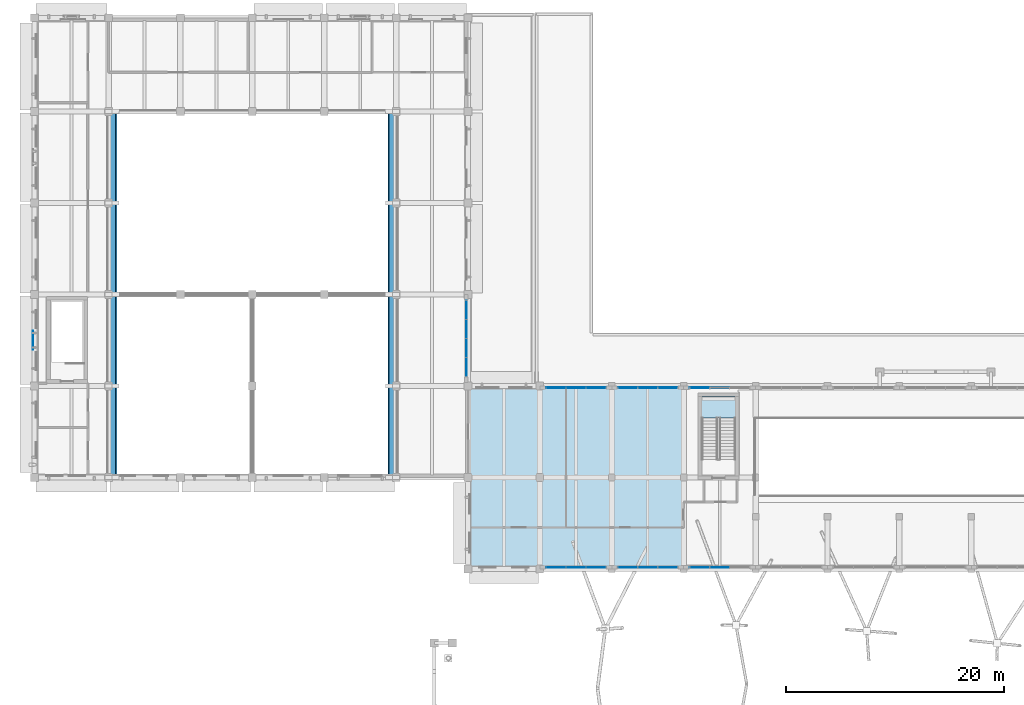
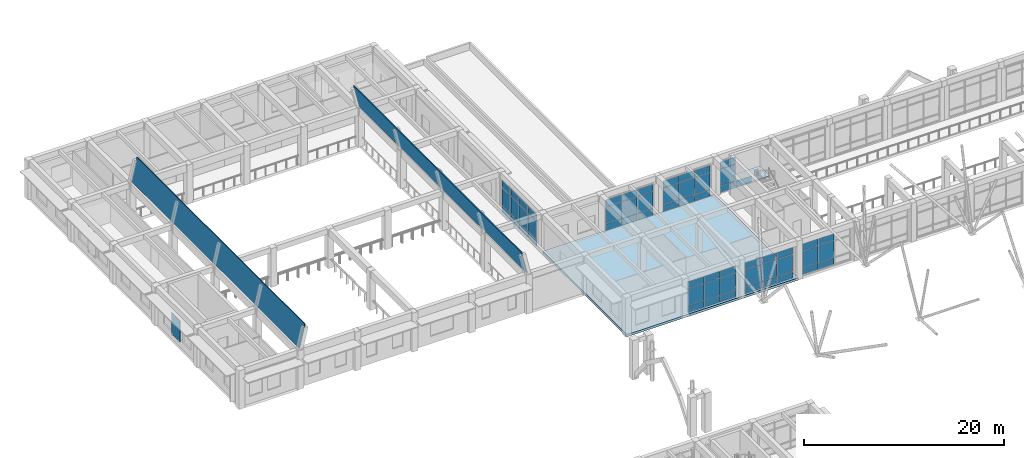
# One storey, part 35 of 75: 59 plates, 4 slabs, 8 elements without a shape of their own.
"""IFC4 building model written with IfcOpenShell, lengths in metres."""

from ifc_helpers import new_model, si_unit, direction, frame, origin, origin_2d, place, context, subcontext, project, spatial, polyline, rectangle, outline, extrude, material, layer, layer_set, type_object, element, aggregate, save


model = new_model("IFC4")

# Units and contexts
model_context = context("Model", 3, precision=1e-05, world=origin(), true_north=direction((0.0, 1.0)))
body_context = subcontext(model_context, "Body", "Model", "MODEL_VIEW")
ifc_project = project(units=[si_unit("LENGTHUNIT", "METRE"), si_unit("AREAUNIT", "SQUARE_METRE"), si_unit("VOLUMEUNIT", "CUBIC_METRE"), si_unit("PLANEANGLEUNIT", "RADIAN"), si_unit("MASSUNIT", "GRAM", prefix="KILO")], contexts=[model_context])

# Site, building, storey
site_placement = place(None, origin())
site = spatial("IfcSite", under=ifc_project, at=site_placement, CompositionType="ELEMENT")
building_placement = place(site_placement, origin())
building = spatial("IfcBuilding", under=site, at=building_placement, Name="Kolvaren Faculty of Natural Sciences", CompositionType="ELEMENT")
storey_placement = place(building_placement, frame((0.0, 0.0, 5.39990234375)))
storey = spatial("IfcBuildingStorey", under=building, at=storey_placement, Name="L01", CompositionType="ELEMENT", Elevation=5.39990234375)

# Slabs
ifc_material_1 = material(Name="Concrete C40/50", Category="concrete")
ifc_layer_1 = layer(ifc_material_1, 0.110107421875)
ifc_layer_set_1 = layer_set([ifc_layer_1], Name="Concrete C40/50")
slab_type_1 = type_object("IfcSlabType", Name="BarrelShellStrip_110", PredefinedType="ROOF", material=ifc_layer_set_1)
for number, where, z_axis, x_axis, name in (
    (1, (6.800048828125, 75.800048828125, 4.760009765625), (-0.973671907569, 0.0, 0.227953978714), (0.227953978714, 0.0, 0.973671907569), "Lecture Theatre Pavilion Barrel Vault Shell vault strip 1"),
    (2, (32.553955078125, 75.800048828125, 7.519287109375), (0.973671907569, 0.0, 0.227953978714), (0.227953978714, 0.0, -0.973671907569), "Lecture Theatre Pavilion Barrel Vault Shell vault strip 10"),
):
    element("IfcSlab", number, at=place(storey_placement, frame(where, z_axis=z_axis, x_axis=x_axis)), inside=storey, type_object=slab_type_1, Name=name, PredefinedType="ROOF", context=body_context, shape_type="SweptSolid", body=[
        extrude(outline(polyline([(0.0, 0.0), (2.833888214604153, 0.0), (2.833888214604153, 33.59985351562501), (0.0, 33.59985351562501), (0.0, 0.0)])), origin(), (0.0, 0.0, -1.0), 0.110107421875),
    ])
ifc_material_2 = material(Name="Concrete C35/45", Category="concrete")
ifc_layer_2 = layer(ifc_material_2, 0.2900390625)
ifc_layer_set_2 = layer_set([ifc_layer_2], Name="Concrete C35/45")
slab_type_2 = type_object("IfcSlabType", Name="CommonsFloorSlab_290", PredefinedType="FLOOR", material=ifc_layer_set_2)
slab_1_placement = place(storey_placement, frame((0.0, 0.0, -0.289794921875)))
element("IfcSlab", 3, at=slab_1_placement, inside=storey, type_object=slab_type_2, Name="L01 V2 structural slab 1", PredefinedType="FLOOR", context=body_context, shape_type="SweptSolid", body=[
    extrude(outline(polyline([(39.800048828125, 84.199951171875), (59.60009765625, 84.199951171875), (59.60009765625, 67.39990234375), (39.800048828125, 67.39990234375), (39.800048828125, 84.199951171875)])), origin(), (0.0, 0.0, 1.0), 0.289794921875),
])

# Curtain wall, plates
ifc_material_3 = material(Name="Thermally broken anodised aluminium framing", Category="aluminium")
ifc_layer_3 = layer(ifc_material_3, 0.179931640625)
ifc_layer_set_3 = layer_set([ifc_layer_3], Name="Thermally broken anodised aluminium framing")
curtain_wall_type_1 = type_object("IfcCurtainWallType", Name="PavilionFoyerCurtainWall_CW04", PredefinedType="NOTDEFINED", material=ifc_layer_set_3)
curtain_wall_1_placement = place(storey_placement, origin())
curtain_wall_1 = element("IfcCurtainWall", 4, at=curtain_wall_1_placement, inside=storey, type_object=curtain_wall_type_1, Name="L01 unitised curtain wall CW-04 (CW-L01-052)", PredefinedType="NOTDEFINED")
ifc_material_4 = material(Name="Double low-E solar control insulated glazing", Category="glass")
ifc_layer_4 = layer(ifc_material_4, 0.035888671875)
ifc_layer_set_4 = layer_set([ifc_layer_4], Name="Double low-E solar control insulated glazing")
plate_type_1 = type_object("IfcPlateType", Name="EnvelopePlate_CWPGL1", PredefinedType="CURTAIN_PANEL", material=ifc_layer_set_4)
plate_1_placement = place(storey_placement, frame((39.639892578125, 91.177490234375, 0.919921875), z_axis=(0.0, 0.0, 1.0), x_axis=(0.0, -1.0, 0.0)))
plate_1 = element("IfcPlate", 5, at=plate_1_placement, type_object=plate_type_1, Name="CW-L01-052 panel 1 V1", PredefinedType="CURTAIN_PANEL", context=body_context, shape_type="SweptSolid", body=[
    extrude(rectangle(XDim=1.695068359375, YDim=0.035888671875, at=origin_2d()), origin(), (0.0, 0.0, 1.0), 2.195068359375),
])
plate_2_placement = place(storey_placement, frame((39.639892578125, 89.4326171875, 0.919921875), z_axis=(0.0, 0.0, 1.0), x_axis=(0.0, -1.0, 0.0)))
plate_2 = element("IfcPlate", 6, at=plate_2_placement, type_object=plate_type_1, Name="CW-L01-052 panel 2 V1", PredefinedType="CURTAIN_PANEL", context=body_context, shape_type="SweptSolid", body=[
    extrude(rectangle(XDim=1.695068359375, YDim=0.035888671875, at=origin_2d()), origin(), (0.0, 0.0, 1.0), 2.195068359375),
])
plate_3_placement = place(storey_placement, frame((39.639892578125, 87.6875, 0.919921875), z_axis=(0.0, 0.0, 1.0), x_axis=(0.0, -1.0, 0.0)))
plate_3 = element("IfcPlate", 7, at=plate_3_placement, type_object=plate_type_1, Name="CW-L01-052 panel 3 V1", PredefinedType="CURTAIN_PANEL", context=body_context, shape_type="SweptSolid", body=[
    extrude(rectangle(XDim=1.695068359375, YDim=0.035888671875, at=origin_2d()), origin(), (0.0, 0.0, 1.0), 2.195068359375),
])
plate_4_placement = place(storey_placement, frame((39.639892578125, 85.9423828125, 0.919921875), z_axis=(0.0, 0.0, 1.0), x_axis=(0.0, -1.0, 0.0)))
plate_4 = element("IfcPlate", 8, at=plate_4_placement, type_object=plate_type_1, Name="CW-L01-052 panel 4 V1", PredefinedType="CURTAIN_PANEL", context=body_context, shape_type="SweptSolid", body=[
    extrude(rectangle(XDim=1.695068359375, YDim=0.035888671875, at=origin_2d()), origin(), (0.0, 0.0, 1.0), 2.195068359375),
])

ifc_layer_5 = layer(ifc_material_3, 0.179931640625)
ifc_layer_set_5 = layer_set([ifc_layer_5], Name="Thermally broken anodised aluminium framing")
curtain_wall_type_2 = type_object("IfcCurtainWallType", Name="CommonsCurtainWall_CW02", PredefinedType="NOTDEFINED", material=ifc_layer_set_5)
curtain_wall_2_placement = place(storey_placement, origin())
curtain_wall_2 = element("IfcCurtainWall", 9, at=curtain_wall_2_placement, inside=storey, type_object=curtain_wall_type_2, Name="L01 unitised curtain wall CW-02 (CW-L01-053)", PredefinedType="NOTDEFINED")
plate_5_placement = place(storey_placement, frame((47.86669921875, 84.0400390625, 0.920166015625), z_axis=(0.0, 0.0, 1.0), x_axis=(1.0, 0.0, 0.0)))
plate_5 = element("IfcPlate", 10, at=plate_5_placement, type_object=plate_type_1, Name="CW-L01-053 panel 1 V1", PredefinedType="CURTAIN_PANEL", context=body_context, shape_type="SweptSolid", body=[
    extrude(rectangle(XDim=1.783203125, YDim=0.035888671875, at=origin_2d()), origin(), (0.0, 0.0, 1.0), 2.044921875),
])
plate_6_placement = place(storey_placement, frame((49.699951171875, 84.0400390625, 0.920166015625), z_axis=(0.0, 0.0, 1.0), x_axis=(1.0, 0.0, 0.0)))
plate_6 = element("IfcPlate", 11, at=plate_6_placement, type_object=plate_type_1, Name="CW-L01-053 panel 2 V1", PredefinedType="CURTAIN_PANEL", context=body_context, shape_type="SweptSolid", body=[
    extrude(rectangle(XDim=1.783203125, YDim=0.035888671875, at=origin_2d()), origin(), (0.0, 0.0, 1.0), 2.044921875),
])
plate_7_placement = place(storey_placement, frame((51.533203125, 84.0400390625, 0.920166015625), z_axis=(0.0, 0.0, 1.0), x_axis=(1.0, 0.0, 0.0)))
plate_7 = element("IfcPlate", 12, at=plate_7_placement, type_object=plate_type_1, Name="CW-L01-053 panel 3 V1", PredefinedType="CURTAIN_PANEL", context=body_context, shape_type="SweptSolid", body=[
    extrude(rectangle(XDim=1.783203125, YDim=0.035888671875, at=origin_2d()), origin(), (0.0, 0.0, 1.0), 2.044921875),
])

curtain_wall_3_placement = place(storey_placement, origin())
curtain_wall_3 = element("IfcCurtainWall", 13, at=curtain_wall_3_placement, inside=storey, type_object=curtain_wall_type_2, Name="L01 unitised curtain wall CW-02 (CW-L01-054)", PredefinedType="NOTDEFINED")
plate_8_placement = place(storey_placement, frame((54.466796875, 84.0400390625, 0.920166015625), z_axis=(0.0, 0.0, 1.0), x_axis=(1.0, 0.0, 0.0)))
plate_8 = element("IfcPlate", 14, at=plate_8_placement, type_object=plate_type_1, Name="CW-L01-054 panel 1 V1", PredefinedType="CURTAIN_PANEL", context=body_context, shape_type="SweptSolid", body=[
    extrude(rectangle(XDim=1.783203125, YDim=0.035888671875, at=origin_2d()), origin(), (0.0, 0.0, 1.0), 2.044921875),
])
plate_9_placement = place(storey_placement, frame((56.300048828125, 84.0400390625, 0.920166015625), z_axis=(0.0, 0.0, 1.0), x_axis=(1.0, 0.0, 0.0)))
plate_9 = element("IfcPlate", 15, at=plate_9_placement, type_object=plate_type_1, Name="CW-L01-054 panel 2 V1", PredefinedType="CURTAIN_PANEL", context=body_context, shape_type="SweptSolid", body=[
    extrude(rectangle(XDim=1.783203125, YDim=0.035888671875, at=origin_2d()), origin(), (0.0, 0.0, 1.0), 2.044921875),
])
plate_10_placement = place(storey_placement, frame((58.13330078125, 84.0400390625, 0.920166015625), z_axis=(0.0, 0.0, 1.0), x_axis=(1.0, 0.0, 0.0)))
plate_10 = element("IfcPlate", 16, at=plate_10_placement, type_object=plate_type_1, Name="CW-L01-054 panel 3 V1", PredefinedType="CURTAIN_PANEL", context=body_context, shape_type="SweptSolid", body=[
    extrude(rectangle(XDim=1.783203125, YDim=0.035888671875, at=origin_2d()), origin(), (0.0, 0.0, 1.0), 2.044921875),
])

# Curtain wall, plate
ifc_layer_6 = layer(ifc_material_3, 0.179931640625)
ifc_layer_set_6 = layer_set([ifc_layer_6], Name="Thermally broken anodised aluminium framing")
curtain_wall_type_3 = type_object("IfcCurtainWallType", Name="AtriumCurtainWall_CW01", PredefinedType="NOTDEFINED", material=ifc_layer_set_6)
curtain_wall_4_placement = place(storey_placement, origin())
curtain_wall_4 = element("IfcCurtainWall", 17, at=curtain_wall_4_placement, inside=storey, type_object=curtain_wall_type_3, Name="L01 unitised curtain wall CW-01 (CW-L01-055)", PredefinedType="NOTDEFINED")
plate_11_placement = place(storey_placement, frame((61.066650390625, 84.0400390625, 0.920166015625), z_axis=(0.0, 0.0, 1.0), x_axis=(1.0, 0.0, 0.0)))
plate_11 = element("IfcPlate", 18, at=plate_11_placement, type_object=plate_type_1, Name="CW-L01-055 panel 1 V1", PredefinedType="CURTAIN_PANEL", context=body_context, shape_type="SweptSolid", body=[
    extrude(rectangle(XDim=1.783203125, YDim=0.035888671875, at=origin_2d()), origin(), (0.0, 0.0, 1.0), 2.044921875),
])

# Curtain wall, plates
curtain_wall_5_placement = place(storey_placement, origin())
curtain_wall_5 = element("IfcCurtainWall", 19, at=curtain_wall_5_placement, inside=storey, type_object=curtain_wall_type_3, Name="L01 unitised curtain wall CW-01 (CW-L01-068)", PredefinedType="NOTDEFINED")
plate_12_placement = place(storey_placement, frame((62.89990234375, 67.56005859375, 0.920166015625), z_axis=(0.0, 0.0, 1.0), x_axis=(-1.0, 0.0, 0.0)))
plate_12 = element("IfcPlate", 20, at=plate_12_placement, type_object=plate_type_1, Name="CW-L01-068 panel 2 V1", PredefinedType="CURTAIN_PANEL", context=body_context, shape_type="SweptSolid", body=[
    extrude(rectangle(XDim=1.783203125, YDim=0.035888671875, at=origin_2d()), origin(), (0.0, 0.0, 1.0), 2.044921875),
])
plate_13_placement = place(storey_placement, frame((61.066650390625, 67.56005859375, 0.920166015625), z_axis=(0.0, 0.0, 1.0), x_axis=(-1.0, 0.0, 0.0)))
plate_13 = element("IfcPlate", 21, at=plate_13_placement, type_object=plate_type_1, Name="CW-L01-068 panel 3 V1", PredefinedType="CURTAIN_PANEL", context=body_context, shape_type="SweptSolid", body=[
    extrude(rectangle(XDim=1.783203125, YDim=0.035888671875, at=origin_2d()), origin(), (0.0, 0.0, 1.0), 2.044921875),
])

curtain_wall_6_placement = place(storey_placement, origin())
curtain_wall_6 = element("IfcCurtainWall", 22, at=curtain_wall_6_placement, inside=storey, type_object=curtain_wall_type_2, Name="L01 unitised curtain wall CW-02 (CW-L01-069)", PredefinedType="NOTDEFINED")
plate_14_placement = place(storey_placement, frame((58.13330078125, 67.56005859375, 0.920166015625), z_axis=(0.0, 0.0, 1.0), x_axis=(-1.0, 0.0, 0.0)))
plate_14 = element("IfcPlate", 23, at=plate_14_placement, type_object=plate_type_1, Name="CW-L01-069 panel 1 V1", PredefinedType="CURTAIN_PANEL", context=body_context, shape_type="SweptSolid", body=[
    extrude(rectangle(XDim=1.783203125, YDim=0.035888671875, at=origin_2d()), origin(), (0.0, 0.0, 1.0), 2.044921875),
])
plate_15_placement = place(storey_placement, frame((56.300048828125, 67.56005859375, 0.920166015625), z_axis=(0.0, 0.0, 1.0), x_axis=(-1.0, 0.0, 0.0)))
plate_15 = element("IfcPlate", 24, at=plate_15_placement, type_object=plate_type_1, Name="CW-L01-069 panel 2 V1", PredefinedType="CURTAIN_PANEL", context=body_context, shape_type="SweptSolid", body=[
    extrude(rectangle(XDim=1.783203125, YDim=0.035888671875, at=origin_2d()), origin(), (0.0, 0.0, 1.0), 2.044921875),
])
plate_16_placement = place(storey_placement, frame((54.466796875, 67.56005859375, 0.920166015625), z_axis=(0.0, 0.0, 1.0), x_axis=(-1.0, 0.0, 0.0)))
plate_16 = element("IfcPlate", 25, at=plate_16_placement, type_object=plate_type_1, Name="CW-L01-069 panel 3 V1", PredefinedType="CURTAIN_PANEL", context=body_context, shape_type="SweptSolid", body=[
    extrude(rectangle(XDim=1.783203125, YDim=0.035888671875, at=origin_2d()), origin(), (0.0, 0.0, 1.0), 2.044921875),
])

curtain_wall_7_placement = place(storey_placement, origin())
curtain_wall_7 = element("IfcCurtainWall", 26, at=curtain_wall_7_placement, inside=storey, type_object=curtain_wall_type_2, Name="L01 unitised curtain wall CW-02 (CW-L01-070)", PredefinedType="NOTDEFINED")
plate_17_placement = place(storey_placement, frame((51.533203125, 67.56005859375, 0.920166015625), z_axis=(0.0, 0.0, 1.0), x_axis=(-1.0, 0.0, 0.0)))
plate_17 = element("IfcPlate", 27, at=plate_17_placement, type_object=plate_type_1, Name="CW-L01-070 panel 1 V1", PredefinedType="CURTAIN_PANEL", context=body_context, shape_type="SweptSolid", body=[
    extrude(rectangle(XDim=1.783203125, YDim=0.035888671875, at=origin_2d()), origin(), (0.0, 0.0, 1.0), 2.044921875),
])
plate_18_placement = place(storey_placement, frame((49.699951171875, 67.56005859375, 0.920166015625), z_axis=(0.0, 0.0, 1.0), x_axis=(-1.0, 0.0, 0.0)))
plate_18 = element("IfcPlate", 28, at=plate_18_placement, type_object=plate_type_1, Name="CW-L01-070 panel 2 V1", PredefinedType="CURTAIN_PANEL", context=body_context, shape_type="SweptSolid", body=[
    extrude(rectangle(XDim=1.783203125, YDim=0.035888671875, at=origin_2d()), origin(), (0.0, 0.0, 1.0), 2.044921875),
])
plate_19_placement = place(storey_placement, frame((47.86669921875, 67.56005859375, 0.920166015625), z_axis=(0.0, 0.0, 1.0), x_axis=(-1.0, 0.0, 0.0)))
plate_19 = element("IfcPlate", 29, at=plate_19_placement, type_object=plate_type_1, Name="CW-L01-070 panel 3 V1", PredefinedType="CURTAIN_PANEL", context=body_context, shape_type="SweptSolid", body=[
    extrude(rectangle(XDim=1.783203125, YDim=0.035888671875, at=origin_2d()), origin(), (0.0, 0.0, 1.0), 2.044921875),
])

# Plate
ifc_layer_7 = layer(ifc_material_4, 0.035888671875)
ifc_layer_set_7 = layer_set([ifc_layer_7], Name="Double low-E solar control insulated glazing")
plate_type_2 = type_object("IfcPlateType", Name="EnvelopePlate_CWPGL2", PredefinedType="CURTAIN_PANEL", material=ifc_layer_set_7)
plate_20_placement = place(storey_placement, frame((39.639892578125, 91.177490234375, 3.155029296875), z_axis=(0.0, 0.0, 1.0), x_axis=(0.0, -1.0, 0.0)))
plate_20 = element("IfcPlate", 30, at=plate_20_placement, type_object=plate_type_2, Name="CW-L01-052 panel 1 V2", PredefinedType="CURTAIN_PANEL", context=body_context, shape_type="SweptSolid", body=[
    extrude(rectangle(XDim=1.695068359375, YDim=0.035888671875, at=origin_2d()), origin(), (0.0, 0.0, 1.0), 0.830078125),
])

plate_21_placement = place(storey_placement, frame((39.639892578125, 89.4326171875, 3.155029296875), z_axis=(0.0, 0.0, 1.0), x_axis=(0.0, -1.0, 0.0)))
plate_21 = element("IfcPlate", 31, at=plate_21_placement, type_object=plate_type_2, Name="CW-L01-052 panel 2 V2", PredefinedType="CURTAIN_PANEL", context=body_context, shape_type="SweptSolid", body=[
    extrude(rectangle(XDim=1.695068359375, YDim=0.035888671875, at=origin_2d()), origin(), (0.0, 0.0, 1.0), 0.830078125),
])

plate_22_placement = place(storey_placement, frame((39.639892578125, 87.6875, 3.155029296875), z_axis=(0.0, 0.0, 1.0), x_axis=(0.0, -1.0, 0.0)))
plate_22 = element("IfcPlate", 32, at=plate_22_placement, type_object=plate_type_2, Name="CW-L01-052 panel 3 V2", PredefinedType="CURTAIN_PANEL", context=body_context, shape_type="SweptSolid", body=[
    extrude(rectangle(XDim=1.695068359375, YDim=0.035888671875, at=origin_2d()), origin(), (0.0, 0.0, 1.0), 0.830078125),
])

plate_23_placement = place(storey_placement, frame((39.639892578125, 85.9423828125, 3.155029296875), z_axis=(0.0, 0.0, 1.0), x_axis=(0.0, -1.0, 0.0)))
plate_23 = element("IfcPlate", 33, at=plate_23_placement, type_object=plate_type_2, Name="CW-L01-052 panel 4 V2", PredefinedType="CURTAIN_PANEL", context=body_context, shape_type="SweptSolid", body=[
    extrude(rectangle(XDim=1.695068359375, YDim=0.035888671875, at=origin_2d()), origin(), (0.0, 0.0, 1.0), 0.830078125),
])

plate_24_placement = place(storey_placement, frame((47.86669921875, 84.0400390625, 3.005126953125), z_axis=(0.0, 0.0, 1.0), x_axis=(1.0, 0.0, 0.0)))
plate_24 = element("IfcPlate", 34, at=plate_24_placement, type_object=plate_type_2, Name="CW-L01-053 panel 1 V2", PredefinedType="CURTAIN_PANEL", context=body_context, shape_type="SweptSolid", body=[
    extrude(rectangle(XDim=1.783203125, YDim=0.035888671875, at=origin_2d()), origin(), (0.0, 0.0, 1.0), 0.830078125),
])

plate_25_placement = place(storey_placement, frame((49.699951171875, 84.0400390625, 3.005126953125), z_axis=(0.0, 0.0, 1.0), x_axis=(1.0, 0.0, 0.0)))
plate_25 = element("IfcPlate", 35, at=plate_25_placement, type_object=plate_type_2, Name="CW-L01-053 panel 2 V2", PredefinedType="CURTAIN_PANEL", context=body_context, shape_type="SweptSolid", body=[
    extrude(rectangle(XDim=1.783203125, YDim=0.035888671875, at=origin_2d()), origin(), (0.0, 0.0, 1.0), 0.830078125),
])

plate_26_placement = place(storey_placement, frame((51.533203125, 84.0400390625, 3.005126953125), z_axis=(0.0, 0.0, 1.0), x_axis=(1.0, 0.0, 0.0)))
plate_26 = element("IfcPlate", 36, at=plate_26_placement, type_object=plate_type_2, Name="CW-L01-053 panel 3 V2", PredefinedType="CURTAIN_PANEL", context=body_context, shape_type="SweptSolid", body=[
    extrude(rectangle(XDim=1.783203125, YDim=0.035888671875, at=origin_2d()), origin(), (0.0, 0.0, 1.0), 0.830078125),
])

plate_27_placement = place(storey_placement, frame((54.466796875, 84.0400390625, 3.005126953125), z_axis=(0.0, 0.0, 1.0), x_axis=(1.0, 0.0, 0.0)))
plate_27 = element("IfcPlate", 37, at=plate_27_placement, type_object=plate_type_2, Name="CW-L01-054 panel 1 V2", PredefinedType="CURTAIN_PANEL", context=body_context, shape_type="SweptSolid", body=[
    extrude(rectangle(XDim=1.783203125, YDim=0.035888671875, at=origin_2d()), origin(), (0.0, 0.0, 1.0), 0.830078125),
])

plate_28_placement = place(storey_placement, frame((56.300048828125, 84.0400390625, 3.005126953125), z_axis=(0.0, 0.0, 1.0), x_axis=(1.0, 0.0, 0.0)))
plate_28 = element("IfcPlate", 38, at=plate_28_placement, type_object=plate_type_2, Name="CW-L01-054 panel 2 V2", PredefinedType="CURTAIN_PANEL", context=body_context, shape_type="SweptSolid", body=[
    extrude(rectangle(XDim=1.783203125, YDim=0.035888671875, at=origin_2d()), origin(), (0.0, 0.0, 1.0), 0.830078125),
])

plate_29_placement = place(storey_placement, frame((58.13330078125, 84.0400390625, 3.005126953125), z_axis=(0.0, 0.0, 1.0), x_axis=(1.0, 0.0, 0.0)))
plate_29 = element("IfcPlate", 39, at=plate_29_placement, type_object=plate_type_2, Name="CW-L01-054 panel 3 V2", PredefinedType="CURTAIN_PANEL", context=body_context, shape_type="SweptSolid", body=[
    extrude(rectangle(XDim=1.783203125, YDim=0.035888671875, at=origin_2d()), origin(), (0.0, 0.0, 1.0), 0.830078125),
])

plate_30_placement = place(storey_placement, frame((61.066650390625, 84.0400390625, 3.005126953125), z_axis=(0.0, 0.0, 1.0), x_axis=(1.0, 0.0, 0.0)))
plate_30 = element("IfcPlate", 40, at=plate_30_placement, type_object=plate_type_2, Name="CW-L01-055 panel 1 V2", PredefinedType="CURTAIN_PANEL", context=body_context, shape_type="SweptSolid", body=[
    extrude(rectangle(XDim=1.783203125, YDim=0.035888671875, at=origin_2d()), origin(), (0.0, 0.0, 1.0), 0.830078125),
])

plate_31_placement = place(storey_placement, frame((62.89990234375, 67.56005859375, 3.005126953125), z_axis=(0.0, 0.0, 1.0), x_axis=(-1.0, 0.0, 0.0)))
plate_31 = element("IfcPlate", 41, at=plate_31_placement, type_object=plate_type_2, Name="CW-L01-068 panel 2 V2", PredefinedType="CURTAIN_PANEL", context=body_context, shape_type="SweptSolid", body=[
    extrude(rectangle(XDim=1.783203125, YDim=0.035888671875, at=origin_2d()), origin(), (0.0, 0.0, 1.0), 0.830078125),
])

plate_32_placement = place(storey_placement, frame((61.066650390625, 67.56005859375, 3.005126953125), z_axis=(0.0, 0.0, 1.0), x_axis=(-1.0, 0.0, 0.0)))
plate_32 = element("IfcPlate", 42, at=plate_32_placement, type_object=plate_type_2, Name="CW-L01-068 panel 3 V2", PredefinedType="CURTAIN_PANEL", context=body_context, shape_type="SweptSolid", body=[
    extrude(rectangle(XDim=1.783203125, YDim=0.035888671875, at=origin_2d()), origin(), (0.0, 0.0, 1.0), 0.830078125),
])

plate_33_placement = place(storey_placement, frame((58.13330078125, 67.56005859375, 3.005126953125), z_axis=(0.0, 0.0, 1.0), x_axis=(-1.0, 0.0, 0.0)))
plate_33 = element("IfcPlate", 43, at=plate_33_placement, type_object=plate_type_2, Name="CW-L01-069 panel 1 V2", PredefinedType="CURTAIN_PANEL", context=body_context, shape_type="SweptSolid", body=[
    extrude(rectangle(XDim=1.783203125, YDim=0.035888671875, at=origin_2d()), origin(), (0.0, 0.0, 1.0), 0.830078125),
])

plate_34_placement = place(storey_placement, frame((56.300048828125, 67.56005859375, 3.005126953125), z_axis=(0.0, 0.0, 1.0), x_axis=(-1.0, 0.0, 0.0)))
plate_34 = element("IfcPlate", 44, at=plate_34_placement, type_object=plate_type_2, Name="CW-L01-069 panel 2 V2", PredefinedType="CURTAIN_PANEL", context=body_context, shape_type="SweptSolid", body=[
    extrude(rectangle(XDim=1.783203125, YDim=0.035888671875, at=origin_2d()), origin(), (0.0, 0.0, 1.0), 0.830078125),
])

plate_35_placement = place(storey_placement, frame((54.466796875, 67.56005859375, 3.005126953125), z_axis=(0.0, 0.0, 1.0), x_axis=(-1.0, 0.0, 0.0)))
plate_35 = element("IfcPlate", 45, at=plate_35_placement, type_object=plate_type_2, Name="CW-L01-069 panel 3 V2", PredefinedType="CURTAIN_PANEL", context=body_context, shape_type="SweptSolid", body=[
    extrude(rectangle(XDim=1.783203125, YDim=0.035888671875, at=origin_2d()), origin(), (0.0, 0.0, 1.0), 0.830078125),
])

plate_36_placement = place(storey_placement, frame((51.533203125, 67.56005859375, 3.005126953125), z_axis=(0.0, 0.0, 1.0), x_axis=(-1.0, 0.0, 0.0)))
plate_36 = element("IfcPlate", 46, at=plate_36_placement, type_object=plate_type_2, Name="CW-L01-070 panel 1 V2", PredefinedType="CURTAIN_PANEL", context=body_context, shape_type="SweptSolid", body=[
    extrude(rectangle(XDim=1.783203125, YDim=0.035888671875, at=origin_2d()), origin(), (0.0, 0.0, 1.0), 0.830078125),
])

plate_37_placement = place(storey_placement, frame((49.699951171875, 67.56005859375, 3.005126953125), z_axis=(0.0, 0.0, 1.0), x_axis=(-1.0, 0.0, 0.0)))
plate_37 = element("IfcPlate", 47, at=plate_37_placement, type_object=plate_type_2, Name="CW-L01-070 panel 2 V2", PredefinedType="CURTAIN_PANEL", context=body_context, shape_type="SweptSolid", body=[
    extrude(rectangle(XDim=1.783203125, YDim=0.035888671875, at=origin_2d()), origin(), (0.0, 0.0, 1.0), 0.830078125),
])

plate_38_placement = place(storey_placement, frame((47.86669921875, 67.56005859375, 3.005126953125), z_axis=(0.0, 0.0, 1.0), x_axis=(-1.0, 0.0, 0.0)))
plate_38 = element("IfcPlate", 48, at=plate_38_placement, type_object=plate_type_2, Name="CW-L01-070 panel 3 V2", PredefinedType="CURTAIN_PANEL", context=body_context, shape_type="SweptSolid", body=[
    extrude(rectangle(XDim=1.783203125, YDim=0.035888671875, at=origin_2d()), origin(), (0.0, 0.0, 1.0), 0.830078125),
])

ifc_material_5 = material(Name="Insulated anodised aluminium spandrel panel", Category="aluminium")
ifc_layer_8 = layer(ifc_material_5, 0.050048828125)
ifc_layer_set_8 = layer_set([ifc_layer_8], Name="Insulated anodised aluminium spandrel panel")
plate_type_3 = type_object("IfcPlateType", Name="EnvelopePlate_CWPSP1", PredefinedType="SHEET", material=ifc_layer_set_8)
plate_39_placement = place(storey_placement, frame((39.639892578125, 91.177490234375, 0.10009765625), z_axis=(0.0, 0.0, 1.0), x_axis=(0.0, -1.0, 0.0)))
plate_39 = element("IfcPlate", 49, at=plate_39_placement, type_object=plate_type_3, Name="CW-L01-052 panel 1 SP", PredefinedType="SHEET", context=body_context, shape_type="SweptSolid", body=[
    extrude(rectangle(XDim=1.695068359375, YDim=0.050048828125, at=origin_2d()), origin(), (0.0, 0.0, 1.0), 0.780029296875),
])

plate_40_placement = place(storey_placement, frame((39.639892578125, 89.4326171875, 0.10009765625), z_axis=(0.0, 0.0, 1.0), x_axis=(0.0, -1.0, 0.0)))
plate_40 = element("IfcPlate", 50, at=plate_40_placement, type_object=plate_type_3, Name="CW-L01-052 panel 2 SP", PredefinedType="SHEET", context=body_context, shape_type="SweptSolid", body=[
    extrude(rectangle(XDim=1.695068359375, YDim=0.050048828125, at=origin_2d()), origin(), (0.0, 0.0, 1.0), 0.780029296875),
])

plate_41_placement = place(storey_placement, frame((39.639892578125, 87.6875, 0.10009765625), z_axis=(0.0, 0.0, 1.0), x_axis=(0.0, -1.0, 0.0)))
plate_41 = element("IfcPlate", 51, at=plate_41_placement, type_object=plate_type_3, Name="CW-L01-052 panel 3 SP", PredefinedType="SHEET", context=body_context, shape_type="SweptSolid", body=[
    extrude(rectangle(XDim=1.695068359375, YDim=0.050048828125, at=origin_2d()), origin(), (0.0, 0.0, 1.0), 0.780029296875),
])

plate_42_placement = place(storey_placement, frame((39.639892578125, 85.9423828125, 0.10009765625), z_axis=(0.0, 0.0, 1.0), x_axis=(0.0, -1.0, 0.0)))
plate_42 = element("IfcPlate", 52, at=plate_42_placement, type_object=plate_type_3, Name="CW-L01-052 panel 4 SP", PredefinedType="SHEET", context=body_context, shape_type="SweptSolid", body=[
    extrude(rectangle(XDim=1.695068359375, YDim=0.050048828125, at=origin_2d()), origin(), (0.0, 0.0, 1.0), 0.780029296875),
])

aggregate(curtain_wall_1, [plate_39, plate_1, plate_20, plate_40, plate_2, plate_21, plate_41, plate_3, plate_22, plate_42, plate_4, plate_23])

plate_43_placement = place(storey_placement, frame((47.86669921875, 84.0400390625, 0.10009765625), z_axis=(0.0, 0.0, 1.0), x_axis=(1.0, 0.0, 0.0)))
plate_43 = element("IfcPlate", 53, at=plate_43_placement, type_object=plate_type_3, Name="CW-L01-053 panel 1 SP", PredefinedType="SHEET", context=body_context, shape_type="SweptSolid", body=[
    extrude(rectangle(XDim=1.783203125, YDim=0.050048828125, at=origin_2d()), origin(), (0.0, 0.0, 1.0), 0.780029296875),
])

plate_44_placement = place(storey_placement, frame((49.699951171875, 84.0400390625, 0.10009765625), z_axis=(0.0, 0.0, 1.0), x_axis=(1.0, 0.0, 0.0)))
plate_44 = element("IfcPlate", 54, at=plate_44_placement, type_object=plate_type_3, Name="CW-L01-053 panel 2 SP", PredefinedType="SHEET", context=body_context, shape_type="SweptSolid", body=[
    extrude(rectangle(XDim=1.783203125, YDim=0.050048828125, at=origin_2d()), origin(), (0.0, 0.0, 1.0), 0.780029296875),
])

plate_45_placement = place(storey_placement, frame((51.533203125, 84.0400390625, 0.10009765625), z_axis=(0.0, 0.0, 1.0), x_axis=(1.0, 0.0, 0.0)))
plate_45 = element("IfcPlate", 55, at=plate_45_placement, type_object=plate_type_3, Name="CW-L01-053 panel 3 SP", PredefinedType="SHEET", context=body_context, shape_type="SweptSolid", body=[
    extrude(rectangle(XDim=1.783203125, YDim=0.050048828125, at=origin_2d()), origin(), (0.0, 0.0, 1.0), 0.780029296875),
])

aggregate(curtain_wall_2, [plate_43, plate_5, plate_24, plate_44, plate_6, plate_25, plate_45, plate_7, plate_26])

plate_46_placement = place(storey_placement, frame((54.466796875, 84.0400390625, 0.10009765625), z_axis=(0.0, 0.0, 1.0), x_axis=(1.0, 0.0, 0.0)))
plate_46 = element("IfcPlate", 56, at=plate_46_placement, type_object=plate_type_3, Name="CW-L01-054 panel 1 SP", PredefinedType="SHEET", context=body_context, shape_type="SweptSolid", body=[
    extrude(rectangle(XDim=1.783203125, YDim=0.050048828125, at=origin_2d()), origin(), (0.0, 0.0, 1.0), 0.780029296875),
])

plate_47_placement = place(storey_placement, frame((56.300048828125, 84.0400390625, 0.10009765625), z_axis=(0.0, 0.0, 1.0), x_axis=(1.0, 0.0, 0.0)))
plate_47 = element("IfcPlate", 57, at=plate_47_placement, type_object=plate_type_3, Name="CW-L01-054 panel 2 SP", PredefinedType="SHEET", context=body_context, shape_type="SweptSolid", body=[
    extrude(rectangle(XDim=1.783203125, YDim=0.050048828125, at=origin_2d()), origin(), (0.0, 0.0, 1.0), 0.780029296875),
])

plate_48_placement = place(storey_placement, frame((58.13330078125, 84.0400390625, 0.10009765625), z_axis=(0.0, 0.0, 1.0), x_axis=(1.0, 0.0, 0.0)))
plate_48 = element("IfcPlate", 58, at=plate_48_placement, type_object=plate_type_3, Name="CW-L01-054 panel 3 SP", PredefinedType="SHEET", context=body_context, shape_type="SweptSolid", body=[
    extrude(rectangle(XDim=1.783203125, YDim=0.050048828125, at=origin_2d()), origin(), (0.0, 0.0, 1.0), 0.780029296875),
])

aggregate(curtain_wall_3, [plate_46, plate_8, plate_27, plate_47, plate_9, plate_28, plate_48, plate_10, plate_29])

plate_49_placement = place(storey_placement, frame((61.066650390625, 84.0400390625, 0.10009765625), z_axis=(0.0, 0.0, 1.0), x_axis=(1.0, 0.0, 0.0)))
plate_49 = element("IfcPlate", 59, at=plate_49_placement, type_object=plate_type_3, Name="CW-L01-055 panel 1 SP", PredefinedType="SHEET", context=body_context, shape_type="SweptSolid", body=[
    extrude(rectangle(XDim=1.783203125, YDim=0.050048828125, at=origin_2d()), origin(), (0.0, 0.0, 1.0), 0.780029296875),
])

plate_50_placement = place(storey_placement, frame((62.89990234375, 84.0400390625, 0.10009765625), z_axis=(0.0, 0.0, 1.0), x_axis=(1.0, 0.0, 0.0)))
plate_50 = element("IfcPlate", 60, at=plate_50_placement, type_object=plate_type_3, Name="CW-L01-055 panel 2 SP", PredefinedType="SHEET", context=body_context, shape_type="SweptSolid", body=[
    extrude(rectangle(XDim=1.783203125, YDim=0.050048828125, at=origin_2d()), origin(), (0.0, 0.0, 1.0), 0.780029296875),
])

aggregate(curtain_wall_4, [plate_49, plate_11, plate_30, plate_50])

plate_51_placement = place(storey_placement, frame((62.89990234375, 67.56005859375, 0.10009765625), z_axis=(0.0, 0.0, 1.0), x_axis=(-1.0, 0.0, 0.0)))
plate_51 = element("IfcPlate", 61, at=plate_51_placement, type_object=plate_type_3, Name="CW-L01-068 panel 2 SP", PredefinedType="SHEET", context=body_context, shape_type="SweptSolid", body=[
    extrude(rectangle(XDim=1.783203125, YDim=0.050048828125, at=origin_2d()), origin(), (0.0, 0.0, 1.0), 0.780029296875),
])

plate_52_placement = place(storey_placement, frame((61.066650390625, 67.56005859375, 0.10009765625), z_axis=(0.0, 0.0, 1.0), x_axis=(-1.0, 0.0, 0.0)))
plate_52 = element("IfcPlate", 62, at=plate_52_placement, type_object=plate_type_3, Name="CW-L01-068 panel 3 SP", PredefinedType="SHEET", context=body_context, shape_type="SweptSolid", body=[
    extrude(rectangle(XDim=1.783203125, YDim=0.050048828125, at=origin_2d()), origin(), (0.0, 0.0, 1.0), 0.780029296875),
])

aggregate(curtain_wall_5, [plate_51, plate_12, plate_31, plate_52, plate_13, plate_32])

plate_53_placement = place(storey_placement, frame((58.13330078125, 67.56005859375, 0.10009765625), z_axis=(0.0, 0.0, 1.0), x_axis=(-1.0, 0.0, 0.0)))
plate_53 = element("IfcPlate", 63, at=plate_53_placement, type_object=plate_type_3, Name="CW-L01-069 panel 1 SP", PredefinedType="SHEET", context=body_context, shape_type="SweptSolid", body=[
    extrude(rectangle(XDim=1.783203125, YDim=0.050048828125, at=origin_2d()), origin(), (0.0, 0.0, 1.0), 0.780029296875),
])

plate_54_placement = place(storey_placement, frame((56.300048828125, 67.56005859375, 0.10009765625), z_axis=(0.0, 0.0, 1.0), x_axis=(-1.0, 0.0, 0.0)))
plate_54 = element("IfcPlate", 64, at=plate_54_placement, type_object=plate_type_3, Name="CW-L01-069 panel 2 SP", PredefinedType="SHEET", context=body_context, shape_type="SweptSolid", body=[
    extrude(rectangle(XDim=1.783203125, YDim=0.050048828125, at=origin_2d()), origin(), (0.0, 0.0, 1.0), 0.780029296875),
])

plate_55_placement = place(storey_placement, frame((54.466796875, 67.56005859375, 0.10009765625), z_axis=(0.0, 0.0, 1.0), x_axis=(-1.0, 0.0, 0.0)))
plate_55 = element("IfcPlate", 65, at=plate_55_placement, type_object=plate_type_3, Name="CW-L01-069 panel 3 SP", PredefinedType="SHEET", context=body_context, shape_type="SweptSolid", body=[
    extrude(rectangle(XDim=1.783203125, YDim=0.050048828125, at=origin_2d()), origin(), (0.0, 0.0, 1.0), 0.780029296875),
])

aggregate(curtain_wall_6, [plate_53, plate_14, plate_33, plate_54, plate_15, plate_34, plate_55, plate_16, plate_35])

plate_56_placement = place(storey_placement, frame((51.533203125, 67.56005859375, 0.10009765625), z_axis=(0.0, 0.0, 1.0), x_axis=(-1.0, 0.0, 0.0)))
plate_56 = element("IfcPlate", 66, at=plate_56_placement, type_object=plate_type_3, Name="CW-L01-070 panel 1 SP", PredefinedType="SHEET", context=body_context, shape_type="SweptSolid", body=[
    extrude(rectangle(XDim=1.783203125, YDim=0.050048828125, at=origin_2d()), origin(), (0.0, 0.0, 1.0), 0.780029296875),
])

plate_57_placement = place(storey_placement, frame((49.699951171875, 67.56005859375, 0.10009765625), z_axis=(0.0, 0.0, 1.0), x_axis=(-1.0, 0.0, 0.0)))
plate_57 = element("IfcPlate", 67, at=plate_57_placement, type_object=plate_type_3, Name="CW-L01-070 panel 2 SP", PredefinedType="SHEET", context=body_context, shape_type="SweptSolid", body=[
    extrude(rectangle(XDim=1.783203125, YDim=0.050048828125, at=origin_2d()), origin(), (0.0, 0.0, 1.0), 0.780029296875),
])

plate_58_placement = place(storey_placement, frame((47.86669921875, 67.56005859375, 0.10009765625), z_axis=(0.0, 0.0, 1.0), x_axis=(-1.0, 0.0, 0.0)))
plate_58 = element("IfcPlate", 68, at=plate_58_placement, type_object=plate_type_3, Name="CW-L01-070 panel 3 SP", PredefinedType="SHEET", context=body_context, shape_type="SweptSolid", body=[
    extrude(rectangle(XDim=1.783203125, YDim=0.050048828125, at=origin_2d()), origin(), (0.0, 0.0, 1.0), 0.780029296875),
])

aggregate(curtain_wall_7, [plate_56, plate_17, plate_36, plate_57, plate_18, plate_37, plate_58, plate_19, plate_38])

ifc_material_6 = material(Name="Extruded architectural terracotta screen", Category="masonry")
ifc_layer_9 = layer(ifc_material_6, 0.06494140625)
ifc_layer_set_9 = layer_set([ifc_layer_9], Name="Extruded architectural terracotta screen")
plate_type_4 = type_object("IfcPlateType", Name="EnvelopePlate_JL02", PredefinedType="USERDEFINED", material=ifc_layer_set_9)
plate_59_placement = place(storey_placement, frame((-0.139892578125, 88.39990234375, 0.85009765625), z_axis=(0.0, 0.0, 1.0), x_axis=(0.0, 1.0, 0.0)))
element("IfcPlate", 69, at=plate_59_placement, inside=storey, type_object=plate_type_4, Name="L01 perforated terracotta jali sun screen JL-02", ObjectType="SCREEN", PredefinedType="USERDEFINED", context=body_context, shape_type="SweptSolid", body=[
    extrude(rectangle(XDim=1.75, YDim=0.06494140625, at=origin_2d()), origin(), (0.0, 0.0, 1.0), 2.60009765625),
])

# Stair, slab
stair_type = type_object("IfcStairType", Name="DoglegStair_H4800", PredefinedType="HALF_TURN_STAIR", material=ifc_material_2)
stair_placement = place(storey_placement, origin())
stair = element("IfcStair", 70, at=stair_placement, inside=storey, type_object=stair_type, Name="L01 Protected exit stair ST-6", PredefinedType="HALF_TURN_STAIR")
ifc_layer_10 = layer(ifc_material_2, 0.199951171875)
ifc_layer_set_10 = layer_set([ifc_layer_10], Name="Concrete C35/45")
slab_type_3 = type_object("IfcSlabType", Name="StairLandingSlab_200", PredefinedType="LANDING", material=ifc_layer_set_10)
slab_2_placement = place(storey_placement, frame((0.0, 0.0, 2.2001953125)))
slab_2 = element("IfcSlab", 71, at=slab_2_placement, type_object=slab_type_3, Name="ST-6 landing 1", PredefinedType="LANDING", context=body_context, shape_type="SweptSolid", body=[
    extrude(outline(polyline([(64.35009765625, 81.284912109375), (64.35009765625, 83.25), (61.25, 83.25), (61.25, 81.284912109375), (64.35009765625, 81.284912109375)])), origin(), (0.0, 0.0, 1.0), 0.199951171875),
])
aggregate(stair, [slab_2])

save(model, "model.ifc")
